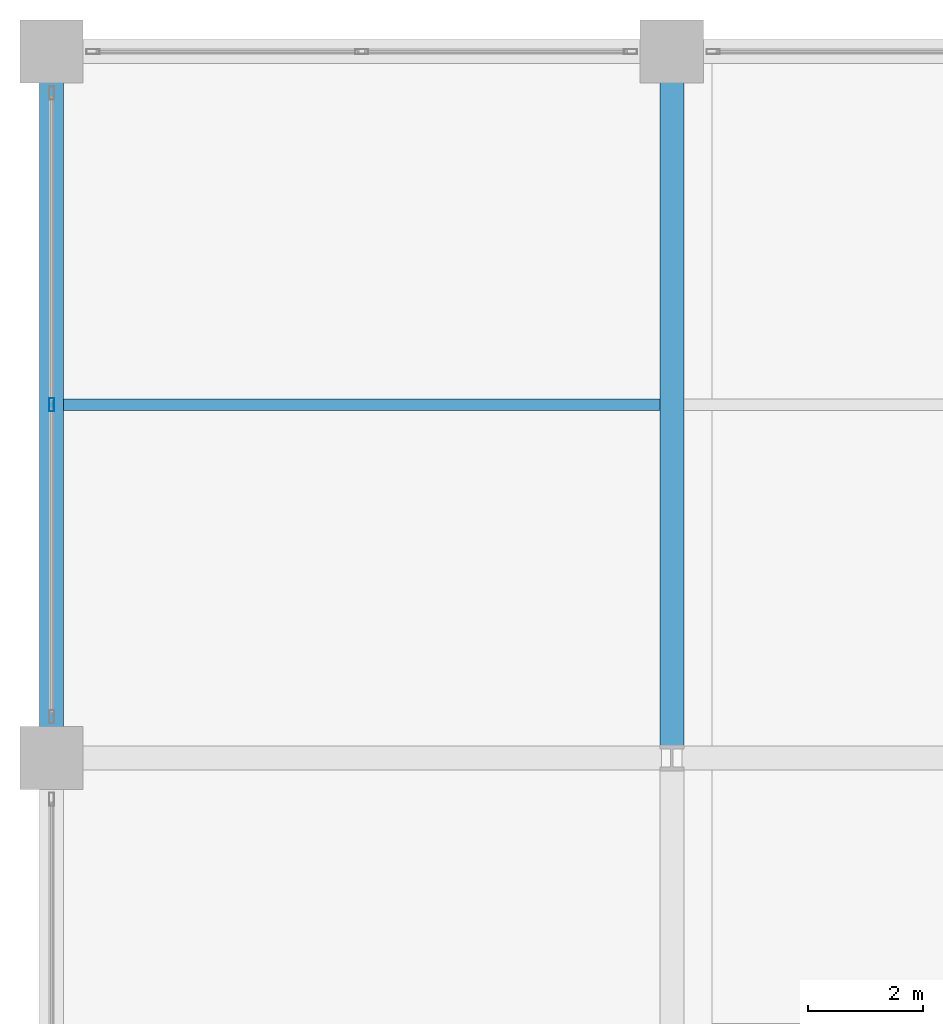
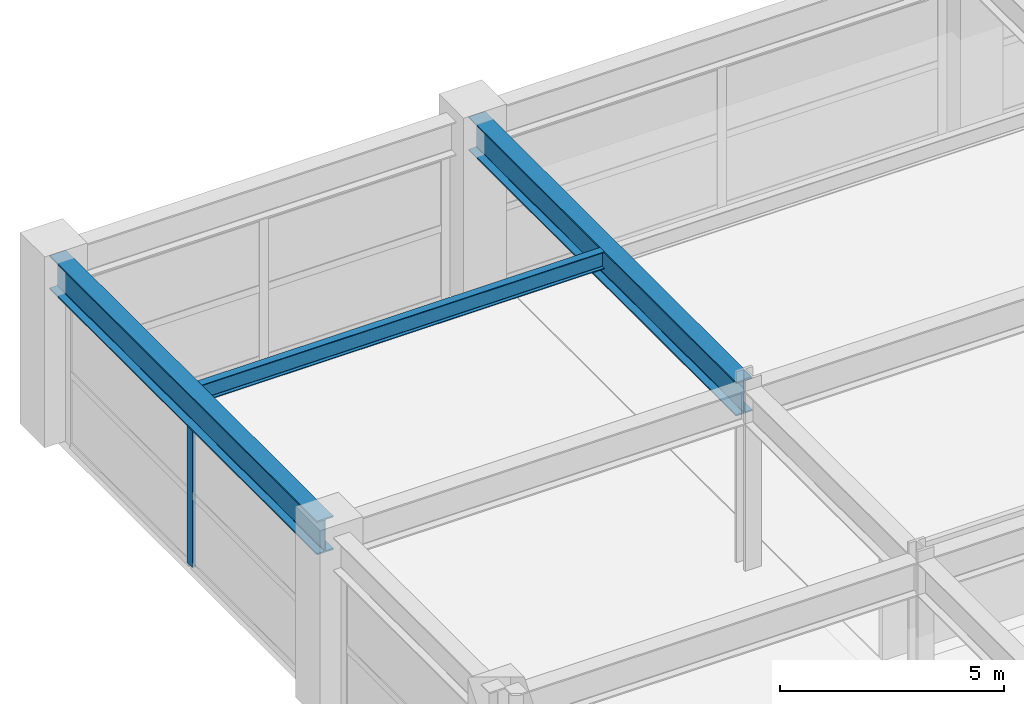
# One storey, part 14 of 43: 3 beams, 1 member, 1 element without a shape of its own.
"""IFC4 building model written with IfcOpenShell, lengths in metres."""

from ifc_helpers import new_model, si_unit, direction, frame, origin, origin_2d, place, context, subcontext, project, spatial, hollow_rectangle, i_section, extrude, material, material_profile, profile_set, type_object, element, aggregate, save


model = new_model("IFC4")

# Units and contexts
model_context = context("Model", 3, precision=1e-05, world=origin(), true_north=direction((0.0, 1.0)))
body_context = subcontext(model_context, "Body", "Model", "MODEL_VIEW")
ifc_project = project(units=[si_unit("LENGTHUNIT", "METRE"), si_unit("AREAUNIT", "SQUARE_METRE"), si_unit("VOLUMEUNIT", "CUBIC_METRE"), si_unit("PLANEANGLEUNIT", "RADIAN"), si_unit("MASSUNIT", "GRAM", prefix="KILO")], contexts=[model_context])

# Site, building, storey
site_placement = place(None, origin())
site = spatial("IfcSite", under=ifc_project, at=site_placement, CompositionType="ELEMENT")
building_placement = place(site_placement, origin())
building = spatial("IfcBuilding", under=site, at=building_placement, Name="Kovane Verandah Tower", CompositionType="ELEMENT")
storey_placement = place(building_placement, frame((0.0, 0.0, 11.199951171875)))
storey = spatial("IfcBuildingStorey", under=building, at=storey_placement, Name="L02", CompositionType="ELEMENT", Elevation=11.199951171875)

# Beams
ifc_material_1 = material(Name="Steel S460", Category="steel")
ifc_material_profile_1 = material_profile(ifc_material_1, i_section(OverallWidth=0.42041015625, OverallDepth=0.9208984375, WebThickness=0.021484375, FlangeThickness=0.03662109375, FilletRadius=0.024169921875, at=origin_2d()), Name="UB914x419x388")
ifc_profile_set_1 = profile_set([ifc_material_profile_1], Name="Steel S460")
beam_type_1 = type_object("IfcBeamType", Name="BM-UB914x388", PredefinedType="BEAM", material=ifc_profile_set_1)
for number, where, z_axis, x_axis, name in (
    (1, (-2.0, 44.3798828125, 4.439453125), (0.0, 1.0, 0.0), (-1.0, 0.0, 0.0), "L02 Podium Grid Girder Y27"),
    (2, (8.800048828125, 44.3798828125, 4.439453125), (0.0, 1.0, 0.0), (-1.0, 0.0, 0.0), "L02 Podium Grid Girder Y31"),
):
    element("IfcBeam", number, at=place(storey_placement, frame(where, z_axis=z_axis, x_axis=x_axis)), inside=storey, type_object=beam_type_1, Name=name, PredefinedType="BEAM", context=body_context, shape_type="SweptSolid", body=[
        extrude(i_section(OverallWidth=0.42041015625, OverallDepth=0.9208984375, WebThickness=0.021484375, FlangeThickness=0.03662109375, FilletRadius=0.024169921875, at=origin_2d()), origin(), (0.0, 0.0, 1.0), 11.940185546875),
    ])

# Curtain wall, member
ifc_material_2 = material(Name="Champagne Anodised Aluminium Frame with Low-E Clear Laminated Glass", Category="aluminium")
curtain_wall_type = type_object("IfcCurtainWallType", Name="CW-SYS-01-POD", PredefinedType="NOTDEFINED", material=ifc_material_2)
curtain_wall_placement = place(storey_placement, origin())
curtain_wall = element("IfcCurtainWall", 3, at=curtain_wall_placement, inside=storey, type_object=curtain_wall_type, Name="L02 West Podium Curtain Wall Bay 5", PredefinedType="NOTDEFINED")
ifc_material_3 = material(Name="Champagne Anodised Aluminium 6063-T6", Category="aluminium")
ifc_material_profile_2 = material_profile(ifc_material_3, hollow_rectangle(XDim=0.0849609375, YDim=0.22998046875, WallThickness=0.00390625, at=origin_2d()), Name="AL85x230x4")
ifc_profile_set_2 = profile_set([ifc_material_profile_2], Name="Champagne Anodised Aluminium 6063-T6")
member_type = type_object("IfcMemberType", Name="CW-MUL-85x230", PredefinedType="MULLION", material=ifc_profile_set_2)
member_placement = place(storey_placement, frame((-2.0, 50.35009765625, 0.02001953125), z_axis=(0.0, 0.0, 1.0), x_axis=(-1.0, 0.0, 0.0)))
member = element("IfcMember", 4, at=member_placement, type_object=member_type, Name="L02 West Podium Curtain Wall Bay 5 Mullion 2", PredefinedType="MULLION", context=body_context, shape_type="SweptSolid", body=[
    extrude(hollow_rectangle(XDim=0.0849609375, YDim=0.22998046875, WallThickness=0.00390625, at=origin_2d()), origin(), (0.0, 0.0, 1.0), 3.9189453125),
])
aggregate(curtain_wall, [member])

# Beam
ifc_material_4 = material(Name="Steel S355", Category="steel")
ifc_material_profile_3 = material_profile(ifc_material_4, i_section(OverallWidth=0.19287109375, OverallDepth=0.46728515625, WebThickness=0.011474609375, FlangeThickness=0.01953125, FilletRadius=0.01025390625, at=origin_2d()), Name="UB457x191x98")
ifc_profile_set_3 = profile_set([ifc_material_profile_3], Name="Steel S355")
beam_type_2 = type_object("IfcBeamType", Name="JST-UB457x98", PredefinedType="JOIST", material=ifc_profile_set_3)
beam_placement = place(storey_placement, frame((-1.791748046875, 50.35009765625, 4.66650390625), z_axis=(1.0, 0.0, 0.0), x_axis=(0.0, 1.0, 0.0)))
element("IfcBeam", 5, at=beam_placement, inside=storey, type_object=beam_type_2, Name="L02 Podium Secondary Joist 01", PredefinedType="JOIST", context=body_context, shape_type="SweptSolid", body=[
    extrude(i_section(OverallWidth=0.19287109375, OverallDepth=0.46728515625, WebThickness=0.011474609375, FlangeThickness=0.01953125, FilletRadius=0.01025390625, at=origin_2d()), origin(), (0.0, 0.0, 1.0), 10.383544921875),
])

save(model, "model.ifc")
